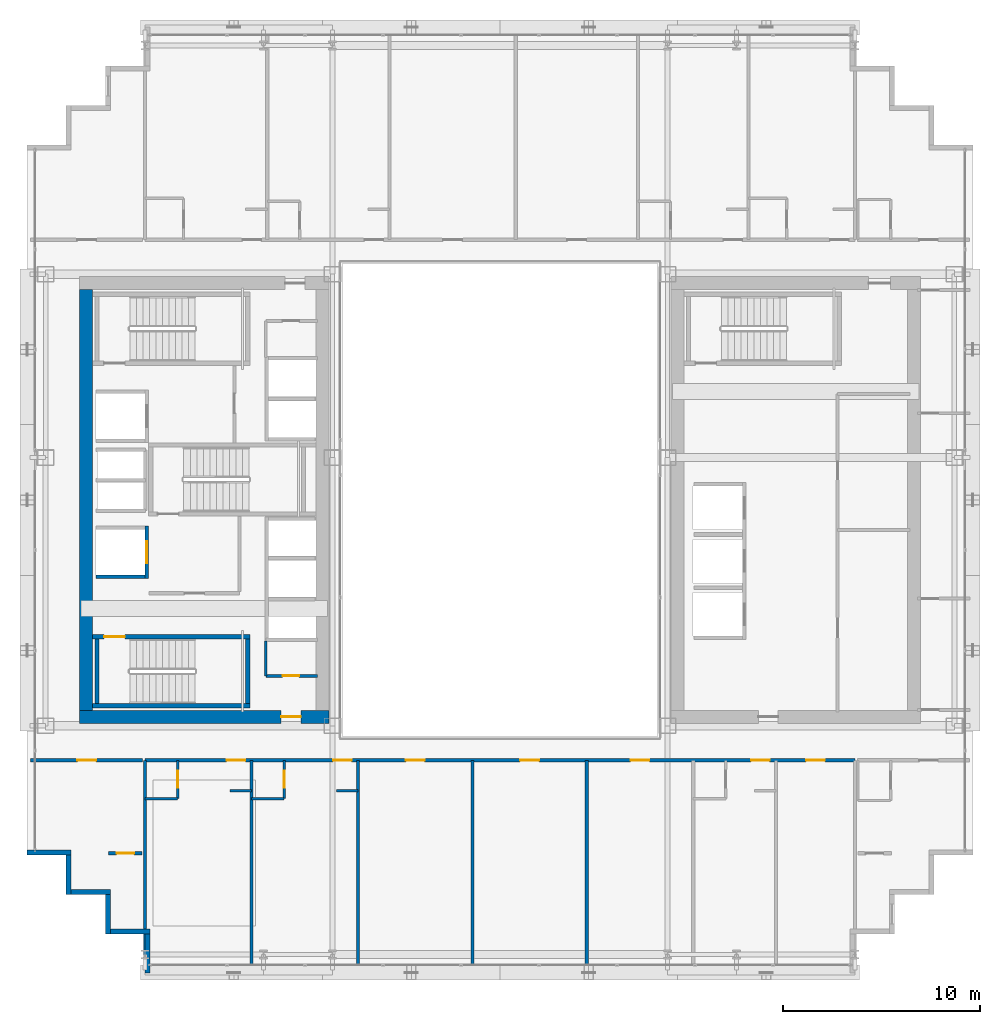
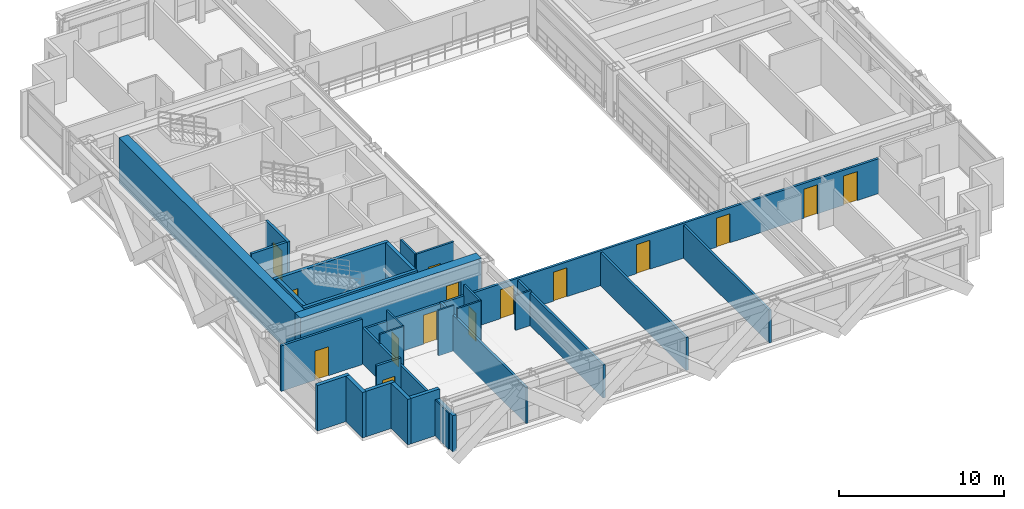
# One storey, part 31 of 39: 30 walls, 15 doors, 15 openings.
"""IFC4 building model written with IfcOpenShell, lengths in metres."""

import ifcopenshell
import ifcopenshell.guid

model = None  # the IFC model being written
_history = None  # IfcOwnerHistory: only IFC2X3 demands one
_inside = {}  # id of a spatial element -> (the spatial element, [elements in it])
_under = {}  # id of a project, library or spatial element -> (it, [spatial elements below it])
_declared = {}  # id of a project -> (the project, [libraries it declares])
_typed = {}  # id of a type object -> (the type object, [elements of that type])
_made_of = {}  # id of a material, layer set ... -> (it, [elements and type objects made of it])


def new_model(schema):
    """Start an empty IFC model of exactly this schema.

    Asked for "IFC4X3", IfcOpenShell would pick the latest addendum, in which some entities
    have other attributes; the version numbers below select the first issue.
    IFC2X3 requires an IfcOwnerHistory on every rooted entity: one is made here for all.
    """
    global model, _history
    if schema == "IFC4X3":
        model = ifcopenshell.file(schema_version=(4, 3, 0, 0))
    else:
        model = ifcopenshell.file(schema=schema)
    _inside.clear()
    _under.clear()
    _declared.clear()
    _typed.clear()
    _made_of.clear()
    _history = None
    if model.schema == "IFC2X3":
        org = make("IfcOrganization", Name="unknown")
        user = make(
            "IfcPersonAndOrganization",
            ThePerson=make("IfcPerson", FamilyName="unknown"),
            TheOrganization=org,
        )
        app = make(
            "IfcApplication",
            ApplicationDeveloper=org,
            Version="unknown",
            ApplicationFullName="unknown",
            ApplicationIdentifier="unknown",
        )
        _history = make(
            "IfcOwnerHistory",
            OwningUser=user,
            OwningApplication=app,
            ChangeAction="ADDED",
            CreationDate=0,
        )
    return model


def make(cls, **values):
    """One entity of the class cls with the attributes given. An attribute that is None is left unset."""
    return model.create_entity(
        cls, **{name: value for name, value in values.items() if value is not None}
    )


def rooted(cls, **values):
    """An entity with a GlobalId (a new one), such as an element, a storey or a relation."""
    return make(cls, GlobalId=ifcopenshell.guid.new(), OwnerHistory=_history, **values)


def si_unit(unit_type, name, prefix=None):
    """IfcSIUnit, for example si_unit("LENGTHUNIT", "METRE", prefix="MILLI")."""
    return make("IfcSIUnit", UnitType=unit_type, Prefix=prefix, Name=name)


def assignment(units):
    """IfcUnitAssignment: the units of a project."""
    return None if units is None else make("IfcUnitAssignment", Units=units)


def point(xyz):
    """IfcCartesianPoint."""
    return None if xyz is None else make("IfcCartesianPoint", Coordinates=xyz)


def direction(xyz):
    """IfcDirection."""
    return None if xyz is None else make("IfcDirection", DirectionRatios=xyz)


def frame(location, z_axis=None, x_axis=None):
    """IfcAxis2Placement3D, a coordinate frame: its origin and axes. An axis left out is left unset."""
    return make(
        "IfcAxis2Placement3D",
        Location=point(location),
        Axis=direction(z_axis),
        RefDirection=direction(x_axis),
    )


def frame_2d(location, x_axis=None):
    """IfcAxis2Placement2D, a coordinate frame in the plane: its origin and x axis."""
    return make(
        "IfcAxis2Placement2D", Location=point(location), RefDirection=direction(x_axis)
    )


def origin():
    """The frame at (0, 0, 0) with its axes left unset."""
    return frame((0.0, 0.0, 0.0))


def place(relative_to, where):
    """IfcLocalPlacement: puts the frame where relative to a parent placement (None: the world)."""
    return make(
        "IfcLocalPlacement", PlacementRelTo=relative_to, RelativePlacement=where
    )


def context(
    kind, dimensions, precision=None, world=None, true_north=None, identifier=None
):
    """IfcGeometricRepresentationContext, for example the 3D "Model" context."""
    return make(
        "IfcGeometricRepresentationContext",
        ContextIdentifier=identifier,
        ContextType=kind,
        CoordinateSpaceDimension=dimensions,
        Precision=precision,
        WorldCoordinateSystem=world,
        TrueNorth=true_north,
    )


def subcontext(parent, identifier, kind, view, scale=None):
    """IfcGeometricRepresentationSubContext, for example "Body" below "Model"."""
    return make(
        "IfcGeometricRepresentationSubContext",
        ContextIdentifier=identifier,
        ContextType=kind,
        ParentContext=parent,
        TargetScale=scale,
        TargetView=view,
    )


def project(units=None, contexts=None):
    """IfcProject with its units and contexts."""
    return rooted(
        "IfcProject",
        Name="project",
        RepresentationContexts=contexts,
        UnitsInContext=assignment(units),
    )


def spatial(cls, under=None, at=None, **own):
    """A site, building, storey or space (cls), placed at a placement, below another one or the project."""
    s = rooted(cls, ObjectPlacement=at, **own)
    if under is not None:
        _under.setdefault(under.id(), (under, []))[1].append(s)
    return s


def profile(cls, at=None, kind="AREA", **sizes):
    """A parametric profile (cls). Its sizes go by their IFC names, for example OverallWidth=200.0."""
    return make(cls, ProfileType=kind, Position=at, **sizes)


def rectangle(**sizes):
    """IfcRectangleProfileDef."""
    return profile("IfcRectangleProfileDef", **sizes)


def extrude(swept, where, along, depth):
    """IfcExtrudedAreaSolid: the profile swept, set in the frame where, extruded along a direction by depth."""
    return make(
        "IfcExtrudedAreaSolid",
        SweptArea=swept,
        Position=where,
        ExtrudedDirection=direction(along),
        Depth=depth,
    )


def shape(context_of_items, identifier, shape_type, items):
    """IfcShapeRepresentation: the items that make up one representation, for example the "Body"."""
    return make(
        "IfcShapeRepresentation",
        ContextOfItems=context_of_items,
        RepresentationIdentifier=identifier,
        RepresentationType=shape_type,
        Items=items,
    )


def source(mapping_origin, context_of_items, identifier, shape_type, items):
    """IfcRepresentationMap: a shape defined once, which mapped items show again and again."""
    return make(
        "IfcRepresentationMap",
        MappingOrigin=mapping_origin,
        MappedRepresentation=shape(context_of_items, identifier, shape_type, items),
    )


def transform(
    local_origin,
    x_axis=None,
    y_axis=None,
    z_axis=None,
    scale=None,
    scale2=None,
    scale3=None,
    uniform=True,
):
    """IfcCartesianTransformationOperator3D, or its non-uniform kind. x_axis, y_axis, z_axis: its Axis1, 2, 3."""
    if uniform:
        return make(
            "IfcCartesianTransformationOperator3D",
            Axis1=direction(x_axis),
            Axis2=direction(y_axis),
            LocalOrigin=point(local_origin),
            Scale=scale,
            Axis3=direction(z_axis),
        )
    return make(
        "IfcCartesianTransformationOperator3DnonUniform",
        Axis1=direction(x_axis),
        Axis2=direction(y_axis),
        LocalOrigin=point(local_origin),
        Scale=scale,
        Axis3=direction(z_axis),
        Scale2=scale2,
        Scale3=scale3,
    )


def mapped(mapping_source, mapping_target):
    """IfcMappedItem: shows the shape of a source again, moved by a transform."""
    return make(
        "IfcMappedItem", MappingSource=mapping_source, MappingTarget=mapping_target
    )


def material(Name=None, Category=None):
    """IfcMaterial."""
    return make("IfcMaterial", Name=Name, Category=Category)


def layer(
    of_material, thickness, ventilated=None, Name=None, Category=None, Priority=None
):
    """IfcMaterialLayer: one layer of a wall or slab, of a material (None: an air gap)."""
    return make(
        "IfcMaterialLayer",
        Material=of_material,
        LayerThickness=thickness,
        IsVentilated=ventilated,
        Name=Name,
        Category=Category,
        Priority=Priority,
    )


def layer_set(layers, Name=None):
    """IfcMaterialLayerSet."""
    return make("IfcMaterialLayerSet", MaterialLayers=layers, LayerSetName=Name)


def made_of(thing, what):
    """Note that an element or type object is made of a material, layer set ...; save() writes the relation."""
    if what is not None:
        _made_of.setdefault(what.id(), (what, []))[1].append(thing)
    return thing


def type_object(cls, material=None, **own):
    """A type object (cls), such as IfcWallType, which elements share."""
    return made_of(rooted(cls, **own), material)


def element(
    cls,
    number,
    at=None,
    inside=None,
    cuts=None,
    type_object=None,
    material=None,
    context=None,
    identifier="Body",
    shape_type=None,
    held_by="IfcProductDefinitionShape",
    body=None,
    shapes=None,
    **own,
):
    """One element of the class cls, such as IfcWall. Its Tag is "e" and its number.

    at: its placement. inside: the storey or other place that contains it. cuts: it is an
    opening in that element (IfcRelVoidsElement). A single representation is given by context,
    identifier, shape_type and body (its items); several are given by shapes. held_by: the class
    of the entity that holds the representations. save() writes the other relations.
    """
    e = rooted(cls, Tag="e%d" % number, ObjectPlacement=at, **own)
    if body is not None:
        shapes = [shape(context, identifier, shape_type, body)]
    if shapes is not None:
        e.Representation = make(held_by, Representations=shapes)
    if inside is not None:
        _inside.setdefault(inside.id(), (inside, []))[1].append(e)
    if cuts is not None:
        rooted(
            "IfcRelVoidsElement", RelatingBuildingElement=cuts, RelatedOpeningElement=e
        )
    if type_object is not None:
        _typed.setdefault(type_object.id(), (type_object, []))[1].append(e)
    return made_of(e, material)


def fill(opening, filler):
    """IfcRelFillsElement: the door or window that sits in an opening."""
    return rooted(
        "IfcRelFillsElement",
        RelatingOpeningElement=opening,
        RelatedBuildingElement=filler,
    )


def aggregate(whole, parts):
    """IfcRelAggregates: a whole, such as a stair, and the parts it consists of."""
    return rooted("IfcRelAggregates", RelatingObject=whole, RelatedObjects=parts)


def save(model, path):
    """Write the relations noted so far, then the file.

    IfcRelAggregates (storeys below a building ...), IfcRelContainedInSpatialStructure (elements
    in a storey), IfcRelDefinesByType, IfcRelAssociatesMaterial and IfcRelDeclares: one each for
    every whole, place, type object, material and project.
    """
    for whole, parts in _under.values():
        aggregate(whole, parts)
    for where, things in _inside.values():
        rooted(
            "IfcRelContainedInSpatialStructure",
            RelatedElements=things,
            RelatingStructure=where,
        )
    for kind, things in _typed.values():
        rooted("IfcRelDefinesByType", RelatedObjects=things, RelatingType=kind)
    for what, things in _made_of.values():
        rooted("IfcRelAssociatesMaterial", RelatedObjects=things, RelatingMaterial=what)
    for by, libraries in _declared.values():
        rooted("IfcRelDeclares", RelatingContext=by, RelatedDefinitions=libraries)
    model.write(path)


model = new_model("IFC4")

# Units and contexts
model_context = context("Model", 3, precision=1e-05, world=origin(), true_north=direction((0.0, 1.0)))
body_context = subcontext(model_context, "Body", "Model", "MODEL_VIEW")
ifc_project = project(units=[si_unit("LENGTHUNIT", "METRE"), si_unit("AREAUNIT", "SQUARE_METRE"), si_unit("VOLUMEUNIT", "CUBIC_METRE"), si_unit("PLANEANGLEUNIT", "RADIAN"), si_unit("MASSUNIT", "GRAM", prefix="KILO")], contexts=[model_context])

# Site, building, storey
site_placement = place(None, origin())
site = spatial("IfcSite", under=ifc_project, at=site_placement, CompositionType="ELEMENT")
building_placement = place(site_placement, origin())
building = spatial("IfcBuilding", under=site, at=building_placement, Name="Ocotamira Hotel", CompositionType="ELEMENT")
storey_placement = place(building_placement, frame((0.0, 0.0, 126.0)))
storey = spatial("IfcBuildingStorey", under=building, at=storey_placement, Name="L31", CompositionType="ELEMENT", Elevation=126.0)

# Wall, opening, door
ifc_material_1 = material(Name="Concrete C60/75", Category="concrete")
ifc_layer_1 = layer(ifc_material_1, 0.64990234375)
ifc_layer_set_1 = layer_set([ifc_layer_1], Name="Concrete C60/75")
wall_type_1 = type_object("IfcWallType", Name="WL-CORE-650", PredefinedType="SHEAR", material=ifc_layer_set_1)
wall_1_placement = place(storey_placement, frame((10.675048828125, 15.0, 0.0), z_axis=(0.0, 0.0, 1.0), x_axis=(1.0, 0.0, 0.0)))
wall_1 = element("IfcWall", 1, at=wall_1_placement, inside=storey, type_object=wall_type_1, Name="L31 Shear Core Wall WCORE-S", PredefinedType="SHEAR", context=body_context, shape_type="SweptSolid", body=[
    extrude(rectangle(XDim=12.64990234375, YDim=0.64990234375, at=frame_2d((6.324951171875, 0.0))), origin(), (0.0, 0.0, 1.0), 3.360107421875),
])
opening_1_placement = place(wall_1_placement, frame((10.22509765625, 0.0, 0.0)))
opening_1 = element("IfcOpeningElement", 2, at=opening_1_placement, cuts=wall_1, Name="Opening D-FR2", PredefinedType="OPENING", context=body_context, shape_type="SweptSolid", body=[
    extrude(rectangle(XDim=1.0, YDim=2.14990234375, at=frame_2d((0.5, 1.074951171875))), frame((0.0, 0.3349609375, 0.0), z_axis=(0.0, -1.0, 0.0), x_axis=(1.0, 0.0, 0.0)), (0.0, 0.0, 1.0), 0.669921875),
])
ifc_material_2 = material(Name="Fire-rated acoustic timber-veneer door", Category="wood")
door_type_1 = type_object("IfcDoorType", Name="DR-FIRE-1000", OperationType="NOTDEFINED", PredefinedType="DOOR", material=ifc_material_2)
shared_shape_1 = source(origin(), body_context, "Body", "SweptSolid", [
    extrude(rectangle(XDim=1.0, YDim=2.14990234375, at=frame_2d((0.5, 1.074951171875))), frame((0.0, 0.02490234375, 0.0), z_axis=(0.0, -1.0, 0.0), x_axis=(1.0, 0.0, 0.0)), (0.0, 0.0, 1.0), 0.050048828125),
])
door_1_placement = place(opening_1_placement, origin())
door_1 = element("IfcDoor", 3, at=door_1_placement, inside=storey, type_object=door_type_1, Name="L31 Door ID-L31-WLOB-S-D [ID-L31-WLOB-S-D]", OperationType="SINGLE_SWING_LEFT", OverallHeight=2.14990234375, OverallWidth=1.0, PredefinedType="DOOR", context=body_context, shape_type="MappedRepresentation", body=[
    mapped(shared_shape_1, transform((0.0, 0.0, 0.0), scale=1.0)),
])
fill(opening_1, door_1)

# Walls
wall_2_placement = place(storey_placement, frame((11.0, 15.324951171875, 0.0), z_axis=(0.0, 0.0, 1.0), x_axis=(0.0, 1.0, 0.0)))
element("IfcWall", 4, at=wall_2_placement, inside=storey, type_object=wall_type_1, Name="L31 Shear Core Wall WCORE-W", PredefinedType="SHEAR", context=body_context, shape_type="SweptSolid", body=[
    extrude(rectangle(XDim=21.35009765625, YDim=0.64990234375, at=frame_2d((10.675048828125, 0.0))), origin(), (0.0, 0.0, 1.0), 3.360107421875),
])
ifc_material_3 = material(Name="Precast concrete C45/55", Category="concrete")
ifc_layer_2 = layer(ifc_material_3, 0.25)
ifc_layer_set_2 = layer_set([ifc_layer_2], Name="Precast concrete C45/55")
wall_type_2 = type_object("IfcWallType", Name="WL-EXT-SER-250", PredefinedType="SOLIDWALL", material=ifc_layer_set_2)
wall_3_placement = place(storey_placement, frame((8.0, 8.125, 0.0), z_axis=(0.0, 0.0, 1.0), x_axis=(1.0, 0.0, 0.0)))
element("IfcWall", 5, at=wall_3_placement, inside=storey, type_object=wall_type_2, Name="L31 Serrated Corner Wall 19", PredefinedType="SOLIDWALL", context=body_context, shape_type="SweptSolid", body=[
    extrude(rectangle(XDim=2.25, YDim=0.25, at=frame_2d((1.125, 0.0))), origin(), (0.0, 0.0, 1.0), 3.360107421875),
])
for number, where, z_axis, x_axis, name in (
    (6, (10.125, 8.0, 0.0), (0.0, 0.0, 1.0), (0.0, -1.0, 0.0), "L31 Serrated Corner Wall 20"),
    (7, (10.25, 6.125, 0.0), (0.0, 0.0, 1.0), (1.0, 0.0, 0.0), "L31 Serrated Corner Wall 21"),
    (8, (12.125, 6.0, 0.0), (0.0, 0.0, 1.0), (0.0, -1.0, 0.0), "L31 Serrated Corner Wall 22"),
    (9, (12.25, 4.125, 0.0), (0.0, 0.0, 1.0), (1.0, 0.0, 0.0), "L31 Serrated Corner Wall 23"),
):
    element("IfcWall", number, at=place(storey_placement, frame(where, z_axis=z_axis, x_axis=x_axis)), inside=storey, type_object=wall_type_2, Name=name, PredefinedType="SOLIDWALL", context=body_context, shape_type="SweptSolid", body=[
        extrude(rectangle(XDim=2.0, YDim=0.25, at=frame_2d((1.0, 0.0))), origin(), (0.0, 0.0, 1.0), 3.360107421875),
    ])
wall_4_placement = place(storey_placement, frame((14.125, 4.0, 0.0), z_axis=(0.0, 0.0, 1.0), x_axis=(0.0, -1.0, 0.0)))
element("IfcWall", 10, at=wall_4_placement, inside=storey, type_object=wall_type_2, Name="L31 Serrated Corner Wall 24", PredefinedType="SOLIDWALL", context=body_context, shape_type="SweptSolid", body=[
    extrude(rectangle(XDim=2.0, YDim=0.25, at=frame_2d((1.0, 0.0))), origin(), (0.0, 0.0, 1.0), 2.6669921875),
])

# Wall, opening, door
ifc_material_4 = material(Name="Acoustic double-layer fire gypsum board partition", Category="gypsum")
ifc_layer_3 = layer(ifc_material_4, 0.159912109375)
ifc_layer_set_3 = layer_set([ifc_layer_3], Name="Acoustic double-layer fire gypsum board partition")
wall_type_3 = type_object("IfcWallType", Name="WL-FIRE-160", PredefinedType="PARTITIONING", material=ifc_layer_set_3)
wall_5_placement = place(storey_placement, frame((8.199951171875, 12.800048828125, 0.0), z_axis=(0.0, 0.0, 1.0), x_axis=(1.0, 0.0, 0.0)))
wall_5 = element("IfcWall", 11, at=wall_5_placement, inside=storey, type_object=wall_type_3, Name="L31 Interior Wall PW-L31-Z2C-CSW-CW", PredefinedType="PARTITIONING", context=body_context, shape_type="SweptSolid", body=[
    extrude(rectangle(XDim=5.679931640625, YDim=0.159912109375, at=frame_2d((2.83984375, 0.0))), origin(), (0.0, 0.0, 1.0), 3.360107421875),
])
opening_2_placement = place(wall_5_placement, frame((2.360107421875, 0.0, 0.0)))
opening_2 = element("IfcOpeningElement", 12, at=opening_2_placement, cuts=wall_5, Name="Opening D-SV4", PredefinedType="OPENING", context=body_context, shape_type="SweptSolid", body=[
    extrude(rectangle(XDim=0.9599609375, YDim=2.14990234375, at=frame_2d((0.47998046875, 1.074951171875))), frame((0.0, 0.08984375, 0.0), z_axis=(0.0, -1.0, 0.0), x_axis=(1.0, 0.0, 0.0)), (0.0, 0.0, 1.0), 0.179931640625),
])
ifc_material_5 = material(Name="Fire-rated accessible walnut salon door", Category="wood")
door_type_2 = type_object("IfcDoorType", Name="DR-SERV-960", OperationType="NOTDEFINED", PredefinedType="DOOR", material=ifc_material_5)
shared_shape_2 = source(origin(), body_context, "Body", "SweptSolid", [
    extrude(rectangle(XDim=0.9599609375, YDim=2.14990234375, at=frame_2d((0.47998046875, 1.074951171875))), frame((0.0, 0.02490234375, 0.0), z_axis=(0.0, -1.0, 0.0), x_axis=(1.0, 0.0, 0.0)), (0.0, 0.0, 1.0), 0.050048828125),
])
door_2_placement = place(opening_2_placement, origin())
door_2 = element("IfcDoor", 13, at=door_2_placement, inside=storey, type_object=door_type_2, Name="L31 Door ID-L31-Z2C-CSW-CD [ID-L31-Z2C-CSW-CD]", OperationType="SINGLE_SWING_LEFT", OverallHeight=2.14990234375, OverallWidth=0.9599609375, PredefinedType="DOOR", context=body_context, shape_type="MappedRepresentation", body=[
    mapped(shared_shape_2, transform((0.0, 0.0, 0.0), scale=1.0)),
])
fill(opening_2, door_2)

wall_6_placement = place(storey_placement, frame((12.14990234375, 8.080078125, 0.0), z_axis=(0.0, 0.0, 1.0), x_axis=(1.0, 0.0, 0.0)))
wall_6 = element("IfcWall", 14, at=wall_6_placement, inside=storey, type_object=wall_type_3, Name="L31 Interior Wall PW-L31-Z2C-CSW2-CW", PredefinedType="PARTITIONING", context=body_context, shape_type="SweptSolid", body=[
    extrude(rectangle(XDim=1.7001953125, YDim=0.159912109375, at=frame_2d((0.85009765625, 0.0))), origin(), (0.0, 0.0, 1.0), 3.360107421875),
])
opening_3_placement = place(wall_6_placement, frame((0.409912109375, 0.0, 0.0)))
opening_3 = element("IfcOpeningElement", 15, at=opening_3_placement, cuts=wall_6, Name="Opening D-SV2", PredefinedType="OPENING", context=body_context, shape_type="SweptSolid", body=[
    extrude(rectangle(XDim=0.8798828125, YDim=2.14990234375, at=frame_2d((0.43994140625, 1.074951171875))), frame((0.0, 0.08984375, 0.0), z_axis=(0.0, -1.0, 0.0), x_axis=(1.0, 0.0, 0.0)), (0.0, 0.0, 1.0), 0.179931640625),
])
ifc_material_6 = material(Name="Fire-rated painted steel service door", Category="steel")
door_type_3 = type_object("IfcDoorType", Name="DR-SERV-880", OperationType="NOTDEFINED", PredefinedType="DOOR", material=ifc_material_6)
shared_shape_3 = source(origin(), body_context, "Body", "SweptSolid", [
    extrude(rectangle(XDim=0.8798828125, YDim=2.14990234375, at=frame_2d((0.43994140625, 1.074951171875))), frame((0.0, 0.02490234375, 0.0), z_axis=(0.0, -1.0, 0.0), x_axis=(1.0, 0.0, 0.0)), (0.0, 0.0, 1.0), 0.050048828125),
])
door_3_placement = place(opening_3_placement, origin())
door_3 = element("IfcDoor", 16, at=door_3_placement, inside=storey, type_object=door_type_3, Name="L31 Door ID-L31-Z2C-CSW2-CD [ID-L31-Z2C-CSW2-CD]", OperationType="SINGLE_SWING_LEFT", OverallHeight=2.14990234375, OverallWidth=0.8798828125, PredefinedType="DOOR", context=body_context, shape_type="MappedRepresentation", body=[
    mapped(shared_shape_3, transform((0.0, 0.0, 0.0), scale=1.0)),
])
fill(opening_3, door_3)

# Wall, openings, doors
wall_7_placement = place(storey_placement, frame((14.0, 12.800048828125, 0.0), z_axis=(0.0, 0.0, 1.0), x_axis=(1.0, 0.0, 0.0)))
wall_7 = element("IfcWall", 17, at=wall_7_placement, inside=storey, type_object=wall_type_3, Name="L31 Interior Wall PW-L31-Z2CS-CORRW", PredefinedType="PARTITIONING", context=body_context, shape_type="SweptSolid", body=[
    extrude(rectangle(XDim=36.0, YDim=0.159912109375, at=frame_2d((18.0, 0.0))), origin(), (0.0, 0.0, 1.0), 2.5810546875),
])
opening_4_placement = place(wall_7_placement, frame((4.139892578125, 0.0, 0.0)))
opening_4 = element("IfcOpeningElement", 18, at=opening_4_placement, cuts=wall_7, Name="Opening D-GR1", PredefinedType="OPENING", context=body_context, shape_type="SweptSolid", body=[
    extrude(rectangle(XDim=0.93994140625, YDim=2.14990234375, at=frame_2d((0.469970703125, 1.074951171875))), frame((0.0, 0.08984375, 0.0), z_axis=(0.0, -1.0, 0.0), x_axis=(1.0, 0.0, 0.0)), (0.0, 0.0, 1.0), 0.179931640625),
])
opening_5_placement = place(wall_7_placement, frame((9.5400390625, 0.0, 0.0)))
opening_5 = element("IfcOpeningElement", 19, at=opening_5_placement, cuts=wall_7, Name="Opening D-GR1", PredefinedType="OPENING", context=body_context, shape_type="SweptSolid", body=[
    extrude(rectangle(XDim=0.93994140625, YDim=2.14990234375, at=frame_2d((0.469970703125, 1.074951171875))), frame((0.0, 0.08984375, 0.0), z_axis=(0.0, -1.0, 0.0), x_axis=(1.0, 0.0, 0.0)), (0.0, 0.0, 1.0), 0.179931640625),
])
opening_6_placement = place(wall_7_placement, frame((13.219970703125, 0.0, 0.0)))
opening_6 = element("IfcOpeningElement", 20, at=opening_6_placement, cuts=wall_7, Name="Opening D-SV4", PredefinedType="OPENING", context=body_context, shape_type="SweptSolid", body=[
    extrude(rectangle(XDim=0.9599609375, YDim=2.14990234375, at=frame_2d((0.47998046875, 1.074951171875))), frame((0.0, 0.08984375, 0.0), z_axis=(0.0, -1.0, 0.0), x_axis=(1.0, 0.0, 0.0)), (0.0, 0.0, 1.0), 0.179931640625),
])
opening_7_placement = place(wall_7_placement, frame((19.02001953125, 0.0, 0.0)))
opening_7 = element("IfcOpeningElement", 21, at=opening_7_placement, cuts=wall_7, Name="Opening D-SV4", PredefinedType="OPENING", context=body_context, shape_type="SweptSolid", body=[
    extrude(rectangle(XDim=0.9599609375, YDim=2.14990234375, at=frame_2d((0.47998046875, 1.074951171875))), frame((0.0, 0.08984375, 0.0), z_axis=(0.0, -1.0, 0.0), x_axis=(1.0, 0.0, 0.0)), (0.0, 0.0, 1.0), 0.179931640625),
])
opening_8_placement = place(wall_7_placement, frame((24.6201171875, 0.0, 0.0)))
opening_8 = element("IfcOpeningElement", 22, at=opening_8_placement, cuts=wall_7, Name="Opening D-SV4", PredefinedType="OPENING", context=body_context, shape_type="SweptSolid", body=[
    extrude(rectangle(XDim=0.9599609375, YDim=2.14990234375, at=frame_2d((0.47998046875, 1.074951171875))), frame((0.0, 0.08984375, 0.0), z_axis=(0.0, -1.0, 0.0), x_axis=(1.0, 0.0, 0.0)), (0.0, 0.0, 1.0), 0.179931640625),
])
opening_9_placement = place(wall_7_placement, frame((30.739990234375, 0.0, 0.0)))
opening_9 = element("IfcOpeningElement", 23, at=opening_9_placement, cuts=wall_7, Name="Opening D-GR1", PredefinedType="OPENING", context=body_context, shape_type="SweptSolid", body=[
    extrude(rectangle(XDim=0.93994140625, YDim=2.14990234375, at=frame_2d((0.469970703125, 1.074951171875))), frame((0.0, 0.08984375, 0.0), z_axis=(0.0, -1.0, 0.0), x_axis=(1.0, 0.0, 0.0)), (0.0, 0.0, 1.0), 0.179931640625),
])
opening_10_placement = place(wall_7_placement, frame((33.52001953125, 0.0, 0.0)))
opening_10 = element("IfcOpeningElement", 24, at=opening_10_placement, cuts=wall_7, Name="Opening D-SV4", PredefinedType="OPENING", context=body_context, shape_type="SweptSolid", body=[
    extrude(rectangle(XDim=0.9599609375, YDim=2.14990234375, at=frame_2d((0.47998046875, 1.074951171875))), frame((0.0, 0.08984375, 0.0), z_axis=(0.0, -1.0, 0.0), x_axis=(1.0, 0.0, 0.0)), (0.0, 0.0, 1.0), 0.179931640625),
])
door_4_placement = place(opening_6_placement, origin())
door_4 = element("IfcDoor", 25, at=door_4_placement, inside=storey, type_object=door_type_2, Name="L31 Door ID-L31-Z2CS-AMD3 [ID-L31-Z2CS-AMD3]", OperationType="SINGLE_SWING_LEFT", OverallHeight=2.14990234375, OverallWidth=0.9599609375, PredefinedType="DOOR", context=body_context, shape_type="MappedRepresentation", body=[
    mapped(shared_shape_2, transform((0.0, 0.0, 0.0), scale=1.0)),
])
fill(opening_6, door_4)
door_5_placement = place(opening_7_placement, origin())
door_5 = element("IfcDoor", 26, at=door_5_placement, inside=storey, type_object=door_type_2, Name="L31 Door ID-L31-Z2CS-AMD4 [ID-L31-Z2CS-AMD4]", OperationType="SINGLE_SWING_RIGHT", OverallHeight=2.14990234375, OverallWidth=0.9599609375, PredefinedType="DOOR", context=body_context, shape_type="MappedRepresentation", body=[
    mapped(shared_shape_2, transform((0.0, 0.0, 0.0), scale=1.0)),
])
fill(opening_7, door_5)
door_6_placement = place(opening_8_placement, origin())
door_6 = element("IfcDoor", 27, at=door_6_placement, inside=storey, type_object=door_type_2, Name="L31 Door ID-L31-Z2CS-AMD5 [ID-L31-Z2CS-AMD5]", OperationType="SINGLE_SWING_LEFT", OverallHeight=2.14990234375, OverallWidth=0.9599609375, PredefinedType="DOOR", context=body_context, shape_type="MappedRepresentation", body=[
    mapped(shared_shape_2, transform((0.0, 0.0, 0.0), scale=1.0)),
])
fill(opening_8, door_6)
door_7_placement = place(opening_10_placement, origin())
door_7 = element("IfcDoor", 28, at=door_7_placement, inside=storey, type_object=door_type_2, Name="L31 Door ID-L31-Z2CS-AMD7 [ID-L31-Z2CS-AMD7]", OperationType="SINGLE_SWING_LEFT", OverallHeight=2.14990234375, OverallWidth=0.9599609375, PredefinedType="DOOR", context=body_context, shape_type="MappedRepresentation", body=[
    mapped(shared_shape_2, transform((0.0, 0.0, 0.0), scale=1.0)),
])
fill(opening_10, door_7)
ifc_material_7 = material(Name="Solid-core walnut suite entrance fire door", Category="wood")
door_type_4 = type_object("IfcDoorType", Name="DR-GUEST-940", OperationType="NOTDEFINED", PredefinedType="DOOR", material=ifc_material_7)
shared_shape_4 = source(origin(), body_context, "Body", "SweptSolid", [
    extrude(rectangle(XDim=0.93994140625, YDim=2.14990234375, at=frame_2d((0.469970703125, 1.074951171875))), frame((0.0, 0.02490234375, 0.0), z_axis=(0.0, -1.0, 0.0), x_axis=(1.0, 0.0, 0.0)), (0.0, 0.0, 1.0), 0.050048828125),
])
door_8_placement = place(opening_4_placement, origin())
door_8 = element("IfcDoor", 29, at=door_8_placement, inside=storey, type_object=door_type_4, Name="L31 Door ID-L31-Z2CS-RMD1 [ID-L31-Z2CS-RMD1]", OperationType="SINGLE_SWING_LEFT", OverallHeight=2.14990234375, OverallWidth=0.93994140625, PredefinedType="DOOR", context=body_context, shape_type="MappedRepresentation", body=[
    mapped(shared_shape_4, transform((0.0, 0.0, 0.0), scale=1.0)),
])
fill(opening_4, door_8)
door_9_placement = place(opening_5_placement, origin())
door_9 = element("IfcDoor", 30, at=door_9_placement, inside=storey, type_object=door_type_4, Name="L31 Door ID-L31-Z2CS-RMD2 [ID-L31-Z2CS-RMD2]", OperationType="SINGLE_SWING_RIGHT", OverallHeight=2.14990234375, OverallWidth=0.93994140625, PredefinedType="DOOR", context=body_context, shape_type="MappedRepresentation", body=[
    mapped(shared_shape_4, transform((0.0, 0.0, 0.0), scale=1.0)),
])
fill(opening_5, door_9)
door_10_placement = place(opening_9_placement, origin())
door_10 = element("IfcDoor", 31, at=door_10_placement, inside=storey, type_object=door_type_4, Name="L31 Door ID-L31-Z2CS-RMD6 [ID-L31-Z2CS-RMD6]", OperationType="SINGLE_SWING_RIGHT", OverallHeight=2.14990234375, OverallWidth=0.93994140625, PredefinedType="DOOR", context=body_context, shape_type="MappedRepresentation", body=[
    mapped(shared_shape_4, transform((0.0, 0.0, 0.0), scale=1.0)),
])
fill(opening_9, door_10)

# Wall, opening, door
ifc_material_8 = material(Name="Moisture-resistant en-suite tile and gypsum partition", Category="gypsum")
ifc_layer_4 = layer(ifc_material_8, 0.1201171875)
ifc_layer_set_4 = layer_set([ifc_layer_4], Name="Moisture-resistant en-suite tile and gypsum partition")
wall_type_4 = type_object("IfcWallType", Name="WL-PART-120", PredefinedType="PARTITIONING", material=ifc_layer_set_4)
wall_8_placement = place(storey_placement, frame((15.64990234375, 10.85009765625, 0.0), z_axis=(0.0, 0.0, 1.0), x_axis=(0.0, 1.0, 0.0)))
wall_8 = element("IfcWall", 32, at=wall_8_placement, inside=storey, type_object=wall_type_4, Name="L31 Interior Wall PW-L31-Z2CS-BAE1", PredefinedType="PARTITIONING", context=body_context, shape_type="SweptSolid", body=[
    extrude(rectangle(XDim=1.949951171875, YDim=0.1201171875, at=frame_2d((0.97509765625, 0.0))), origin(), (0.0, 0.0, 1.0), 3.360107421875),
])
opening_11_placement = place(wall_8_placement, frame((0.544921875, 0.0, 0.0)))
opening_11 = element("IfcOpeningElement", 33, at=opening_11_placement, cuts=wall_8, Name="Opening D-BA1", PredefinedType="OPENING", context=body_context, shape_type="SweptSolid", body=[
    extrude(rectangle(XDim=0.860107421875, YDim=2.10009765625, at=frame_2d((0.43017578125, 1.050048828125))), frame((0.0, 0.070068359375, 0.0), z_axis=(0.0, -1.0, 0.0), x_axis=(1.0, 0.0, 0.0)), (0.0, 0.0, 1.0), 0.14013671875),
])
ifc_material_9 = material(Name="Moisture-sealed en-suite timber door", Category="wood")
door_type_5 = type_object("IfcDoorType", Name="DR-BATH-860", OperationType="NOTDEFINED", PredefinedType="DOOR", material=ifc_material_9)
shared_shape_5 = source(origin(), body_context, "Body", "SweptSolid", [
    extrude(rectangle(XDim=0.860107421875, YDim=2.10009765625, at=frame_2d((0.43017578125, 1.050048828125))), frame((0.0, 0.02490234375, 0.0), z_axis=(0.0, -1.0, 0.0), x_axis=(1.0, 0.0, 0.0)), (0.0, 0.0, 1.0), 0.050048828125),
])
door_11_placement = place(opening_11_placement, origin())
door_11 = element("IfcDoor", 34, at=door_11_placement, inside=storey, type_object=door_type_5, Name="L31 Door ID-L31-Z2CS-BAD1 [ID-L31-Z2CS-BAD1]", OperationType="SINGLE_SWING_RIGHT", OverallHeight=2.10009765625, OverallWidth=0.860107421875, PredefinedType="DOOR", context=body_context, shape_type="MappedRepresentation", body=[
    mapped(shared_shape_5, transform((0.0, 0.0, 0.0), scale=1.0)),
])
fill(opening_11, door_11)

# Walls
wall_9_placement = place(storey_placement, frame((14.0, 10.85009765625, 0.0), z_axis=(0.0, 0.0, 1.0), x_axis=(1.0, 0.0, 0.0)))
element("IfcWall", 35, at=wall_9_placement, inside=storey, type_object=wall_type_4, Name="L31 Interior Wall PW-L31-Z2CS-BAS1", PredefinedType="PARTITIONING", context=body_context, shape_type="SweptSolid", body=[
    extrude(rectangle(XDim=1.64990234375, YDim=0.1201171875, at=frame_2d((0.824951171875, 0.0))), origin(), (0.0, 0.0, 1.0), 3.360107421875),
])
wall_10_placement = place(storey_placement, frame((18.300048828125, 11.25, 0.0), z_axis=(0.0, 0.0, 1.0), x_axis=(1.0, 0.0, 0.0)))
element("IfcWall", 36, at=wall_10_placement, inside=storey, type_object=wall_type_4, Name="L31 Interior Wall PW-L31-Z2CS-DRN1", PredefinedType="PARTITIONING", context=body_context, shape_type="SweptSolid", body=[
    extrude(rectangle(XDim=1.099853515625, YDim=0.1201171875, at=frame_2d((0.5498046875, 0.0))), origin(), (0.0, 0.0, 1.0), 3.360107421875),
])

# Wall, opening, door
wall_11_placement = place(storey_placement, frame((21.050048828125, 10.85009765625, 0.0), z_axis=(0.0, 0.0, 1.0), x_axis=(0.0, 1.0, 0.0)))
wall_11 = element("IfcWall", 37, at=wall_11_placement, inside=storey, type_object=wall_type_4, Name="L31 Interior Wall PW-L31-Z2CS-BAE2", PredefinedType="PARTITIONING", context=body_context, shape_type="SweptSolid", body=[
    extrude(rectangle(XDim=1.949951171875, YDim=0.1201171875, at=frame_2d((0.97509765625, 0.0))), origin(), (0.0, 0.0, 1.0), 3.360107421875),
])
opening_12_placement = place(wall_11_placement, frame((0.544921875, 0.0, 0.0)))
opening_12 = element("IfcOpeningElement", 38, at=opening_12_placement, cuts=wall_11, Name="Opening D-BA1", PredefinedType="OPENING", context=body_context, shape_type="SweptSolid", body=[
    extrude(rectangle(XDim=0.860107421875, YDim=2.10009765625, at=frame_2d((0.43017578125, 1.050048828125))), frame((0.0, 0.070068359375, 0.0), z_axis=(0.0, -1.0, 0.0), x_axis=(1.0, 0.0, 0.0)), (0.0, 0.0, 1.0), 0.14013671875),
])
door_12_placement = place(opening_12_placement, origin())
door_12 = element("IfcDoor", 39, at=door_12_placement, inside=storey, type_object=door_type_5, Name="L31 Door ID-L31-Z2CS-BAD2 [ID-L31-Z2CS-BAD2]", OperationType="SINGLE_SWING_LEFT", OverallHeight=2.10009765625, OverallWidth=0.860107421875, PredefinedType="DOOR", context=body_context, shape_type="MappedRepresentation", body=[
    mapped(shared_shape_5, transform((0.0, 0.0, 0.0), scale=1.0)),
])
fill(opening_12, door_12)

# Walls
wall_12_placement = place(storey_placement, frame((19.39990234375, 10.85009765625, 0.0), z_axis=(0.0, 0.0, 1.0), x_axis=(1.0, 0.0, 0.0)))
element("IfcWall", 40, at=wall_12_placement, inside=storey, type_object=wall_type_4, Name="L31 Interior Wall PW-L31-Z2CS-BAS2", PredefinedType="PARTITIONING", context=body_context, shape_type="SweptSolid", body=[
    extrude(rectangle(XDim=1.650146484375, YDim=0.1201171875, at=frame_2d((0.8251953125, 0.0))), origin(), (0.0, 0.0, 1.0), 3.360107421875),
])
wall_13_placement = place(storey_placement, frame((23.699951171875, 11.25, 0.0), z_axis=(0.0, 0.0, 1.0), x_axis=(1.0, 0.0, 0.0)))
element("IfcWall", 41, at=wall_13_placement, inside=storey, type_object=wall_type_4, Name="L31 Interior Wall PW-L31-Z2CS-DRN2", PredefinedType="PARTITIONING", context=body_context, shape_type="SweptSolid", body=[
    extrude(rectangle(XDim=1.10009765625, YDim=0.1201171875, at=frame_2d((0.550048828125, 0.0))), origin(), (0.0, 0.0, 1.0), 2.5810546875),
])
ifc_material_10 = material(Name="Acoustic hospitality gypsum board partition", Category="gypsum")
ifc_layer_5 = layer(ifc_material_10, 0.14208984375)
ifc_layer_set_5 = layer_set([ifc_layer_5], Name="Acoustic hospitality gypsum board partition")
wall_type_5 = type_object("IfcWallType", Name="WL-PART-142", PredefinedType="PARTITIONING", material=ifc_layer_set_5)
wall_14_placement = place(storey_placement, frame((20.1201171875, 17.080078125, 0.0), z_axis=(0.0, 0.0, 1.0), x_axis=(0.0, 1.0, 0.0)))
element("IfcWall", 42, at=wall_14_placement, inside=storey, type_object=wall_type_5, Name="L31 Interior Wall PW-L31-WC-SE-W2", PredefinedType="PARTITIONING", context=body_context, shape_type="SweptSolid", body=[
    extrude(rectangle(XDim=1.760009765625, YDim=0.14208984375, at=frame_2d((0.8798828125, 0.0))), origin(), (0.0, 0.0, 1.0), 3.360107421875),
])

# Wall, opening, door
wall_15_placement = place(storey_placement, frame((20.1201171875, 17.080078125, 0.0), z_axis=(0.0, 0.0, 1.0), x_axis=(1.0, 0.0, 0.0)))
wall_15 = element("IfcWall", 43, at=wall_15_placement, inside=storey, type_object=wall_type_5, Name="L31 Interior Wall PW-L31-WC-SE-S2", PredefinedType="PARTITIONING", context=body_context, shape_type="SweptSolid", body=[
    extrude(rectangle(XDim=2.6298828125, YDim=0.14208984375, at=frame_2d((1.31494140625, 0.0))), origin(), (0.0, 0.0, 1.0), 3.360107421875),
])
opening_13_placement = place(wall_15_placement, frame((0.85009765625, 0.0, 0.0)))
opening_13 = element("IfcOpeningElement", 44, at=opening_13_placement, cuts=wall_15, Name="Opening D-SV1", PredefinedType="OPENING", context=body_context, shape_type="SweptSolid", body=[
    extrude(rectangle(XDim=0.840087890625, YDim=2.10009765625, at=frame_2d((0.419921875, 1.050048828125))), frame((0.0, 0.0810546875, 0.0), z_axis=(0.0, -1.0, 0.0), x_axis=(1.0, 0.0, 0.0)), (0.0, 0.0, 1.0), 0.162109375),
])
door_type_6 = type_object("IfcDoorType", Name="DR-SERV-840", OperationType="NOTDEFINED", PredefinedType="DOOR", material=ifc_material_6)
shared_shape_6 = source(origin(), body_context, "Body", "SweptSolid", [
    extrude(rectangle(XDim=0.840087890625, YDim=2.10009765625, at=frame_2d((0.419921875, 1.050048828125))), frame((0.0, 0.02490234375, 0.0), z_axis=(0.0, -1.0, 0.0), x_axis=(1.0, 0.0, 0.0)), (0.0, 0.0, 1.0), 0.050048828125),
])
door_13_placement = place(opening_13_placement, origin())
door_13 = element("IfcDoor", 45, at=door_13_placement, inside=storey, type_object=door_type_6, Name="L31 Door ID-L31-WC-SE-D2 [ID-L31-WC-SE-D2]", OperationType="SINGLE_SWING_LEFT", OverallHeight=2.10009765625, OverallWidth=0.840087890625, PredefinedType="DOOR", context=body_context, shape_type="MappedRepresentation", body=[
    mapped(shared_shape_6, transform((0.0, 0.0, 0.0), scale=1.0)),
])
fill(opening_13, door_13)

# Walls
ifc_material_11 = material(Name="Acoustic double-stud hospitality gypsum partition", Category="gypsum")
ifc_layer_6 = layer(ifc_material_11, 0.159912109375)
ifc_layer_set_6 = layer_set([ifc_layer_6], Name="Acoustic double-stud hospitality gypsum partition")
wall_type_6 = type_object("IfcWallType", Name="WL-PART-160", PredefinedType="PARTITIONING", material=ifc_layer_set_6)
for number, where, z_axis, x_axis, name in (
    (46, (14.0, 2.360107421875, 0.0), (0.0, 0.0, 1.0), (0.0, 1.0, 0.0), "L31 Interior Wall PW-L31-Z2CS-PW0"),
    (47, (19.39990234375, 2.360107421875, 0.0), (0.0, 0.0, 1.0), (0.0, 1.0, 0.0), "L31 Interior Wall PW-L31-Z2CS-PW1"),
):
    element("IfcWall", number, at=place(storey_placement, frame(where, z_axis=z_axis, x_axis=x_axis)), inside=storey, type_object=wall_type_6, Name=name, PredefinedType="PARTITIONING", context=body_context, shape_type="SweptSolid", body=[
        extrude(rectangle(XDim=10.43994140625, YDim=0.159912109375, at=frame_2d((5.219970703125, 0.0))), origin(), (0.0, 0.0, 1.0), 2.6669921875),
    ])
for number, where, z_axis, x_axis, name in (
    (48, (24.800048828125, 2.360107421875, 0.0), (0.0, 0.0, 1.0), (0.0, 1.0, 0.0), "L31 Interior Wall PW-L31-Z2CS-PW2"),
    (49, (30.60009765625, 2.360107421875, 0.0), (0.0, 0.0, 1.0), (0.0, 1.0, 0.0), "L31 Interior Wall PW-L31-Z2CS-PW3"),
    (50, (36.39990234375, 2.360107421875, 0.0), (0.0, 0.0, 1.0), (0.0, 1.0, 0.0), "L31 Interior Wall PW-L31-Z2CS-PW4"),
):
    element("IfcWall", number, at=place(storey_placement, frame(where, z_axis=z_axis, x_axis=x_axis)), inside=storey, type_object=wall_type_6, Name=name, PredefinedType="PARTITIONING", context=body_context, shape_type="SweptSolid", body=[
        extrude(rectangle(XDim=10.43994140625, YDim=0.159912109375, at=frame_2d((5.219970703125, 0.0))), origin(), (0.0, 0.0, 1.0), 2.43310546875),
    ])
ifc_material_12 = material(Name="Fire-rated gypsum shaftliner board assembly", Category="gypsum")
ifc_layer_7 = layer(ifc_material_12, 0.179931640625)
ifc_layer_set_7 = layer_set([ifc_layer_7], Name="Fire-rated gypsum shaftliner board assembly")
wall_type_7 = type_object("IfcWallType", Name="WL-SHAFT-180", PredefinedType="SOLIDWALL", material=ifc_layer_set_7)
wall_16_placement = place(storey_placement, frame((11.5, 22.110107421875, 0.0), z_axis=(0.0, 0.0, 1.0), x_axis=(1.0, 0.0, 0.0)))
element("IfcWall", 51, at=wall_16_placement, inside=storey, type_object=wall_type_7, Name="L31 Interior Wall PW-L31-LFW-LF-FSAE1-S", PredefinedType="SOLIDWALL", context=body_context, shape_type="SweptSolid", body=[
    extrude(rectangle(XDim=2.5, YDim=0.179931640625, at=frame_2d((1.25, 0.0))), origin(), (0.0, 0.0, 1.0), 3.360107421875),
])

# Wall, opening, door
wall_17_placement = place(storey_placement, frame((14.090087890625, 22.02001953125, 0.0), z_axis=(0.0, 0.0, 1.0), x_axis=(0.0, 1.0, 0.0)))
wall_17 = element("IfcWall", 52, at=wall_17_placement, inside=storey, type_object=wall_type_7, Name="L31 Interior Wall PW-L31-LFW-LF-FSAE1-E", PredefinedType="SOLIDWALL", context=body_context, shape_type="SweptSolid", body=[
    extrude(rectangle(XDim=2.659912109375, YDim=0.179931640625, at=frame_2d((1.330078125, 0.0))), origin(), (0.0, 0.0, 1.0), 3.360107421875),
])
opening_14_placement = place(wall_17_placement, frame((0.780029296875, 0.0, 0.0)))
opening_14 = element("IfcOpeningElement", 53, at=opening_14_placement, cuts=wall_17, Name="Opening LD-LF-FSAE1", PredefinedType="OPENING", context=body_context, shape_type="SweptSolid", body=[
    extrude(rectangle(XDim=1.10009765625, YDim=2.199951171875, at=frame_2d((0.550048828125, 1.10009765625))), frame((0.0, 0.10009765625, 0.0), z_axis=(0.0, -1.0, 0.0), x_axis=(1.0, 0.0, 0.0)), (0.0, 0.0, 1.0), 0.199951171875),
])
ifc_material_13 = material(Name="Brushed pale-metal stainless elevator landing door", Category="steel")
door_type_7 = type_object("IfcDoorType", Name="DR-LIFT-1100", OperationType="NOTDEFINED", PredefinedType="DOOR", material=ifc_material_13)
shared_shape_7 = source(origin(), body_context, "Body", "SweptSolid", [
    extrude(rectangle(XDim=1.10009765625, YDim=2.199951171875, at=frame_2d((0.550048828125, 1.10009765625))), frame((0.0, 0.02490234375, 0.0), z_axis=(0.0, -1.0, 0.0), x_axis=(1.0, 0.0, 0.0)), (0.0, 0.0, 1.0), 0.050048828125),
])
door_14_placement = place(opening_14_placement, origin())
door_14 = element("IfcDoor", 54, at=door_14_placement, inside=storey, type_object=door_type_7, Name="L31 Landing Door LD-LF-FSAE1 [ID-L31-LD-LF-FSAE1]", OperationType="DOUBLE_DOOR_SLIDING", OverallHeight=2.199951171875, OverallWidth=1.10009765625, PredefinedType="DOOR", context=body_context, shape_type="MappedRepresentation", body=[
    mapped(shared_shape_7, transform((0.0, 0.0, 0.0), scale=1.0)),
])
fill(opening_14, door_14)

# Wall
ifc_material_14 = material(Name="Concrete C50/60", Category="concrete")
ifc_layer_8 = layer(ifc_material_14, 0.219970703125)
ifc_layer_set_8 = layer_set([ifc_layer_8], Name="Concrete C50/60")
wall_type_8 = type_object("IfcWallType", Name="WL-STAIR-220", PredefinedType="SHEAR", material=ifc_layer_set_8)
wall_18_placement = place(storey_placement, frame((11.324951171875, 15.56005859375, 0.0), z_axis=(0.0, 0.0, 1.0), x_axis=(1.0, 0.0, 0.0)))
element("IfcWall", 55, at=wall_18_placement, inside=storey, type_object=wall_type_8, Name="L31 Stair Shaft Structural Wall ST-1-S", PredefinedType="SHEAR", context=body_context, shape_type="SweptSolid", body=[
    extrude(rectangle(XDim=7.985107421875, YDim=0.219970703125, at=frame_2d((3.99267578125, 0.0))), origin(), (0.0, 0.0, 1.0), 3.39990234375),
])

# Wall, opening, door
wall_19_placement = place(storey_placement, frame((11.324951171875, 19.06005859375, 0.0), z_axis=(0.0, 0.0, 1.0), x_axis=(1.0, 0.0, 0.0)))
wall_19 = element("IfcWall", 56, at=wall_19_placement, inside=storey, type_object=wall_type_8, Name="L31 Stair Shaft Structural Wall ST-1-N", PredefinedType="SHEAR", context=body_context, shape_type="SweptSolid", body=[
    extrude(rectangle(XDim=7.985107421875, YDim=0.219970703125, at=frame_2d((3.99267578125, 0.0))), origin(), (0.0, 0.0, 1.0), 3.39990234375),
])
opening_15_placement = place(wall_19_placement, frame((0.594970703125, 0.0, 0.0)))
opening_15 = element("IfcOpeningElement", 57, at=opening_15_placement, cuts=wall_19, Name="Opening D-ST2", PredefinedType="OPENING", context=body_context, shape_type="SweptSolid", body=[
    extrude(rectangle(XDim=1.050048828125, YDim=2.14990234375, at=frame_2d((0.52490234375, 1.074951171875))), frame((0.0, 0.1201171875, 0.0), z_axis=(0.0, -1.0, 0.0), x_axis=(1.0, 0.0, 0.0)), (0.0, 0.0, 1.0), 0.239990234375),
])
ifc_material_15 = material(Name="Insulated painted hollow-metal fire exit door", Category="steel")
door_type_8 = type_object("IfcDoorType", Name="DR-STAIR-1050", OperationType="NOTDEFINED", PredefinedType="DOOR", material=ifc_material_15)
shared_shape_8 = source(origin(), body_context, "Body", "SweptSolid", [
    extrude(rectangle(XDim=1.050048828125, YDim=2.14990234375, at=frame_2d((0.52490234375, 1.074951171875))), frame((0.0, 0.02490234375, 0.0), z_axis=(0.0, -1.0, 0.0), x_axis=(1.0, 0.0, 0.0)), (0.0, 0.0, 1.0), 0.050048828125),
])
door_15_placement = place(opening_15_placement, origin())
door_15 = element("IfcDoor", 58, at=door_15_placement, inside=storey, type_object=door_type_8, Name="L31 Door ID-L31-STD-ST-1 [ID-L31-STD-ST-1]", OperationType="SINGLE_SWING_RIGHT", OverallHeight=2.14990234375, OverallWidth=1.050048828125, PredefinedType="DOOR", context=body_context, shape_type="MappedRepresentation", body=[
    mapped(shared_shape_8, transform((0.0, 0.0, 0.0), scale=1.0)),
])
fill(opening_15, door_15)

# Walls
for number, where, z_axis, x_axis, name in (
    (59, (11.56005859375, 15.669921875, 0.0), (0.0, 0.0, 1.0), (0.0, 1.0, 0.0), "L31 Stair Shaft Structural Wall ST-1-W"),
    (60, (19.199951171875, 15.669921875, 0.0), (0.0, 0.0, 1.0), (0.0, 1.0, 0.0), "L31 Stair Shaft Structural Wall ST-1-E"),
):
    element("IfcWall", number, at=place(storey_placement, frame(where, z_axis=z_axis, x_axis=x_axis)), inside=storey, type_object=wall_type_8, Name=name, PredefinedType="SHEAR", context=body_context, shape_type="SweptSolid", body=[
        extrude(rectangle(XDim=3.280029296875, YDim=0.219970703125, at=frame_2d((1.64013671875, 0.0))), origin(), (0.0, 0.0, 1.0), 3.39990234375),
    ])

save(model, "model.ifc")
